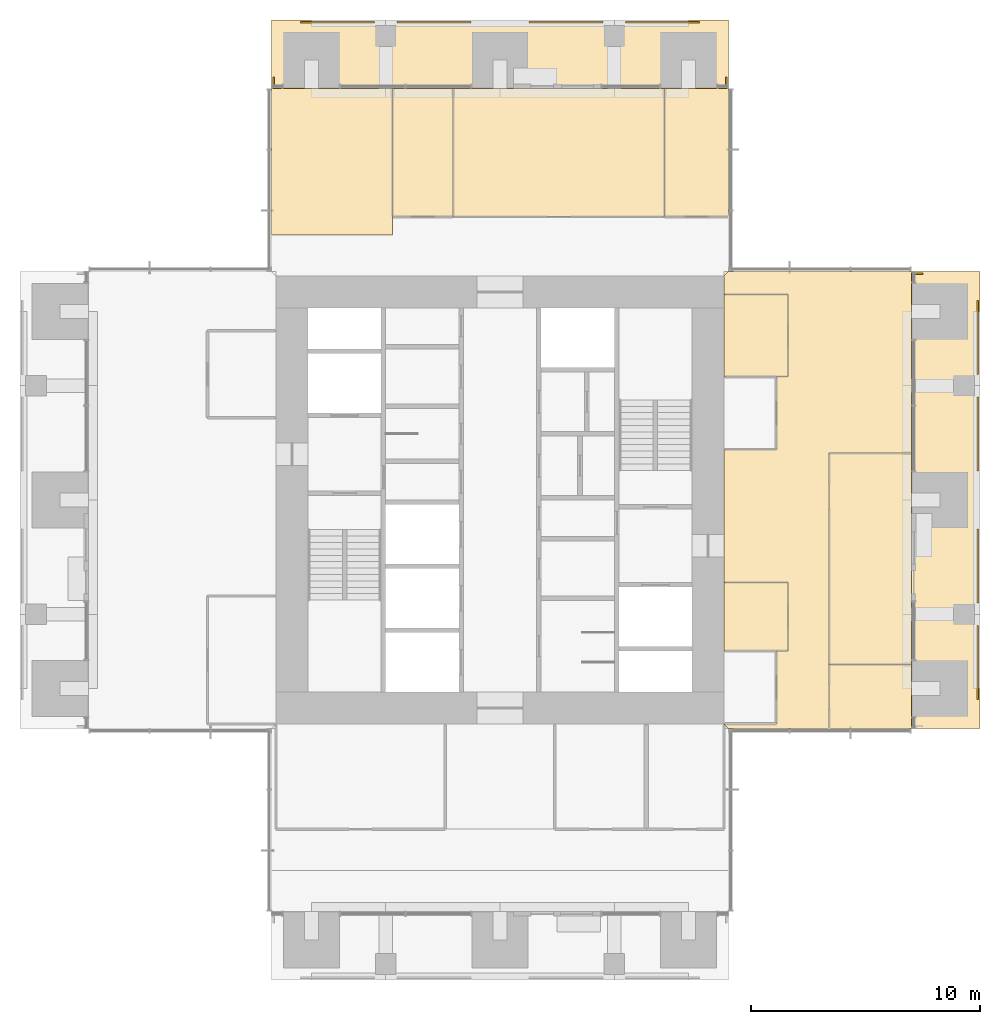
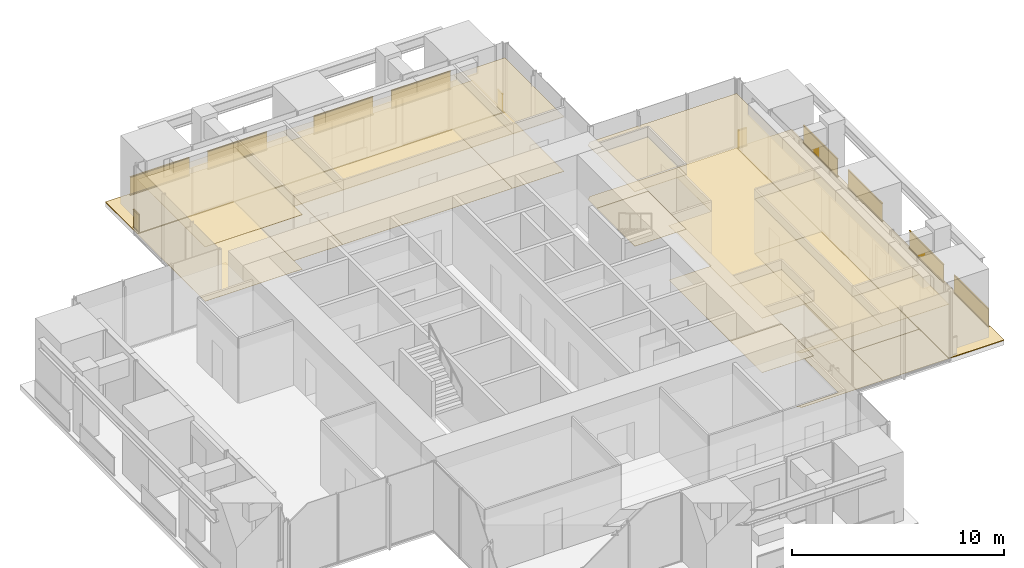
# One storey, part 16 of 17: 20 coverings, 11 railings.
"""IFC4 building model written with IfcOpenShell, lengths in metres."""

from ifc_helpers import new_model, si_unit, direction, frame, origin, origin_2d, place, context, subcontext, project, spatial, polyline, rectangle, outline, extrude, material, layer, layer_set, type_object, element, save


model = new_model("IFC4")

# Units and contexts
model_context = context("Model", 3, precision=1e-05, world=origin(), true_north=direction((0.0, 1.0)))
body_context = subcontext(model_context, "Body", "Model", "MODEL_VIEW")
ifc_project = project(units=[si_unit("LENGTHUNIT", "METRE"), si_unit("AREAUNIT", "SQUARE_METRE"), si_unit("VOLUMEUNIT", "CUBIC_METRE"), si_unit("PLANEANGLEUNIT", "RADIAN"), si_unit("MASSUNIT", "GRAM", prefix="KILO")], contexts=[model_context])

# Site, building, storey
site_placement = place(None, origin())
site = spatial("IfcSite", under=ifc_project, at=site_placement, CompositionType="ELEMENT")
building_placement = place(site_placement, origin())
building = spatial("IfcBuilding", under=site, at=building_placement, Name="Svetlomir Tower", CompositionType="ELEMENT")
storey_placement = place(building_placement, frame((0.0, 0.0, 226.5)))
storey = spatial("IfcBuildingStorey", under=building, at=storey_placement, Name="L54", CompositionType="ELEMENT", Elevation=226.5)

# Railings
ifc_material_1 = material(Name="Bronze anodised aluminium and laminated glass", Category="aluminium")
railing_type = type_object("IfcRailingType", Name="BALCONY GUARD GR1 1100", PredefinedType="GUARDRAIL", material=ifc_material_1)
for number, where, name in (
    (1, (41.89990234375, 12.27490234375, 0.0), "Loggia guard E L54 bay 1"),
    (2, (41.89990234375, 16.5, 0.0), "Loggia guard E L54 bay 2"),
    (3, (41.89990234375, 22.27490234375, 0.0), "Loggia guard E L54 bay 3"),
    (4, (41.89990234375, 26.5, 0.0), "Loggia guard E L54 bay 4"),
):
    element("IfcRailing", number, at=place(storey_placement, frame(where)), inside=storey, type_object=railing_type, Name=name, PredefinedType="GUARDRAIL", context=body_context, shape_type="SweptSolid", body=[
        extrude(rectangle(XDim=0.06005859375, YDim=0.10009765625, at=origin_2d()), frame((0.0, 0.0, 0.050048828125), z_axis=(0.0, 1.0, 0.0), x_axis=(-1.0, 0.0, 0.0)), (0.0, 0.0, 1.0), 3.22509765625),
        extrude(rectangle(XDim=0.021484375, YDim=0.960205078125, at=origin_2d()), frame((0.0, 0.0, 0.580078125), z_axis=(0.0, 1.0, 0.0), x_axis=(-1.0, 0.0, 0.0)), (0.0, 0.0, 1.0), 3.22509765625),
        extrude(rectangle(XDim=0.06005859375, YDim=0.0400390625, at=origin_2d()), frame((0.0, 0.0, 1.080078125), z_axis=(0.0, 1.0, 0.0), x_axis=(-1.0, 0.0, 0.0)), (0.0, 0.0, 1.0), 3.22509765625),
    ])
railing_placement = place(storey_placement, frame((39.5, 30.89990234375, 0.0)))
element("IfcRailing", 5, at=railing_placement, inside=storey, type_object=railing_type, Name="Loggia guard E L54 end 2", PredefinedType="GUARDRAIL", context=body_context, shape_type="SweptSolid", body=[
    extrude(rectangle(XDim=0.06005859375, YDim=0.10009765625, at=origin_2d()), frame((0.0, 0.0, 0.050048828125), z_axis=(-1.0, 0.0, 0.0), x_axis=(0.0, -1.0, 0.0)), (0.0, 0.0, 1.0), 0.5),
    extrude(rectangle(XDim=0.021484375, YDim=0.960205078125, at=origin_2d()), frame((0.0, 0.0, 0.580078125), z_axis=(-1.0, 0.0, 0.0), x_axis=(0.0, -1.0, 0.0)), (0.0, 0.0, 1.0), 0.5),
    extrude(rectangle(XDim=0.06005859375, YDim=0.0400390625, at=origin_2d()), frame((0.0, 0.0, 1.080078125), z_axis=(-1.0, 0.0, 0.0), x_axis=(0.0, -1.0, 0.0)), (0.0, 0.0, 1.0), 0.5),
])
for number, where, name in (
    (6, (12.27490234375, 41.89990234375, 0.0), "Loggia guard N L54 bay 1"),
    (7, (16.5, 41.89990234375, 0.0), "Loggia guard N L54 bay 2"),
    (8, (22.27490234375, 41.89990234375, 0.0), "Loggia guard N L54 bay 3"),
    (9, (26.5, 41.89990234375, 0.0), "Loggia guard N L54 bay 4"),
):
    element("IfcRailing", number, at=place(storey_placement, frame(where)), inside=storey, type_object=railing_type, Name=name, PredefinedType="GUARDRAIL", context=body_context, shape_type="SweptSolid", body=[
        extrude(rectangle(XDim=0.06005859375, YDim=0.10009765625, at=origin_2d()), frame((0.0, 0.0, 0.050048828125), z_axis=(1.0, 0.0, 0.0), x_axis=(0.0, 1.0, 0.0)), (0.0, 0.0, 1.0), 3.22509765625),
        extrude(rectangle(XDim=0.021484375, YDim=0.960205078125, at=origin_2d()), frame((0.0, 0.0, 0.580078125), z_axis=(1.0, 0.0, 0.0), x_axis=(0.0, 1.0, 0.0)), (0.0, 0.0, 1.0), 3.22509765625),
        extrude(rectangle(XDim=0.06005859375, YDim=0.0400390625, at=origin_2d()), frame((0.0, 0.0, 1.080078125), z_axis=(1.0, 0.0, 0.0), x_axis=(0.0, 1.0, 0.0)), (0.0, 0.0, 1.0), 3.22509765625),
    ])
for number, where, name in (
    (10, (11.10009765625, 39.5, 0.0), "Loggia guard N L54 end 1"),
    (11, (30.89990234375, 39.5, 0.0), "Loggia guard N L54 end 2"),
):
    element("IfcRailing", number, at=place(storey_placement, frame(where)), inside=storey, type_object=railing_type, Name=name, PredefinedType="GUARDRAIL", context=body_context, shape_type="SweptSolid", body=[
        extrude(rectangle(XDim=0.06005859375, YDim=0.10009765625, at=origin_2d()), frame((0.0, 0.0, 0.050048828125), z_axis=(0.0, -1.0, 0.0), x_axis=(1.0, 0.0, 0.0)), (0.0, 0.0, 1.0), 0.5),
        extrude(rectangle(XDim=0.021484375, YDim=0.960205078125, at=origin_2d()), frame((0.0, 0.0, 0.580078125), z_axis=(0.0, -1.0, 0.0), x_axis=(1.0, 0.0, 0.0)), (0.0, 0.0, 1.0), 0.5),
        extrude(rectangle(XDim=0.06005859375, YDim=0.0400390625, at=origin_2d()), frame((0.0, 0.0, 1.080078125), z_axis=(0.0, -1.0, 0.0), x_axis=(1.0, 0.0, 0.0)), (0.0, 0.0, 1.0), 0.5),
    ])

# Coverings
ifc_material_2 = material(Name="Granite paving slabs on pedestals", Category="masonry")
ifc_layer_1 = layer(ifc_material_2, 0.0400390625)
ifc_layer_set_1 = layer_set([ifc_layer_1], Name="Granite paving slabs on pedestals")
covering_type_1 = type_object("IfcCoveringType", Name="BALCONY PAVING 40", PredefinedType="USERDEFINED", material=ifc_layer_set_1)
covering_1_placement = place(storey_placement, origin())
element("IfcCovering", 12, at=covering_1_placement, inside=storey, type_object=covering_type_1, Name="Loggia paving E L54", ObjectType="BALCONY PAVING", PredefinedType="USERDEFINED", context=body_context, shape_type="SweptSolid", body=[
    extrude(outline(polyline([(39.0, 11.0), (42.0, 11.0), (42.0, 31.0), (39.0, 31.0), (39.0, 11.0)])), origin(), (0.0, 0.0, 1.0), 0.0400390625),
])
covering_2_placement = place(storey_placement, origin())
element("IfcCovering", 13, at=covering_2_placement, inside=storey, type_object=covering_type_1, Name="Loggia paving N L54", ObjectType="BALCONY PAVING", PredefinedType="USERDEFINED", context=body_context, shape_type="SweptSolid", body=[
    extrude(outline(polyline([(11.0, 39.0), (31.0, 39.0), (31.0, 42.0), (11.0, 42.0), (11.0, 39.0)])), origin(), (0.0, 0.0, 1.0), 0.0400390625),
])
ifc_material_3 = material(Name="Carpet tile", Category="textile")
ifc_layer_2 = layer(ifc_material_3, 0.010009765625)
ifc_layer_set_2 = layer_set([ifc_layer_2], Name="Carpet tile")
covering_type_2 = type_object("IfcCoveringType", Name="CARPET TILE FLOOR 10", PredefinedType="FLOORING", material=ifc_layer_set_2)
covering_3_placement = place(storey_placement, origin())
element("IfcCovering", 14, at=covering_3_placement, inside=storey, type_object=covering_type_2, Name="Floor finish L54-21", PredefinedType="FLOORING", context=body_context, shape_type="SweptSolid", body=[
    extrude(outline(polyline([(30.800048828125, 14.39990234375), (33.60009765625, 14.39990234375), (33.60009765625, 17.39990234375), (30.800048828125, 17.39990234375), (30.800048828125, 14.39990234375)])), origin(), (0.0, 0.0, 1.0), 0.010009765625),
])
covering_4_placement = place(storey_placement, origin())
element("IfcCovering", 15, at=covering_4_placement, inside=storey, type_object=covering_type_2, Name="Floor finish L54-23", PredefinedType="FLOORING", context=body_context, shape_type="SweptSolid", body=[
    extrude(outline(polyline([(30.800048828125, 26.39990234375), (33.60009765625, 26.39990234375), (33.60009765625, 30.0), (30.800048828125, 30.0), (30.800048828125, 26.39990234375)])), origin(), (0.0, 0.0, 1.0), 0.010009765625),
])
covering_5_placement = place(storey_placement, origin())
element("IfcCovering", 16, at=covering_5_placement, inside=storey, type_object=covering_type_2, Name="Floor finish L54-24", PredefinedType="FLOORING", context=body_context, shape_type="SweptSolid", body=[
    extrude(outline(polyline([(35.39990234375, 11.0), (39.0, 11.0), (39.0, 13.800048828125), (35.39990234375, 13.800048828125), (35.39990234375, 11.0)])), origin(), (0.0, 0.0, 1.0), 0.010009765625),
])
covering_6_placement = place(storey_placement, origin())
element("IfcCovering", 17, at=covering_6_placement, inside=storey, type_object=covering_type_2, Name="Floor finish L54-25", PredefinedType="FLOORING", context=body_context, shape_type="SweptSolid", body=[
    extrude(outline(polyline([(35.39990234375, 13.800048828125), (39.0, 13.800048828125), (39.0, 23.050048828125), (35.39990234375, 23.050048828125), (35.39990234375, 13.800048828125)])), origin(), (0.0, 0.0, 1.0), 0.010009765625),
])
covering_7_placement = place(storey_placement, origin())
element("IfcCovering", 18, at=covering_7_placement, inside=storey, type_object=covering_type_2, Name="Floor finish L54-26", PredefinedType="FLOORING", context=body_context, shape_type="SweptSolid", body=[
    extrude(outline(polyline([(16.300048828125, 33.39990234375), (18.949951171875, 33.39990234375), (18.949951171875, 39.0), (16.300048828125, 39.0), (16.300048828125, 33.39990234375)])), origin(), (0.0, 0.0, 1.0), 0.010009765625),
])
covering_8_placement = place(storey_placement, origin())
element("IfcCovering", 19, at=covering_8_placement, inside=storey, type_object=covering_type_2, Name="Floor finish L54-27", PredefinedType="FLOORING", context=body_context, shape_type="SweptSolid", body=[
    extrude(outline(polyline([(18.949951171875, 33.39990234375), (28.199951171875, 33.39990234375), (28.199951171875, 39.0), (18.949951171875, 39.0), (18.949951171875, 33.39990234375)])), origin(), (0.0, 0.0, 1.0), 0.010009765625),
])
covering_9_placement = place(storey_placement, origin())
element("IfcCovering", 20, at=covering_9_placement, inside=storey, type_object=covering_type_2, Name="Floor finish L54-28", PredefinedType="FLOORING", context=body_context, shape_type="SweptSolid", body=[
    extrude(outline(polyline([(28.199951171875, 33.39990234375), (31.0, 33.39990234375), (31.0, 39.0), (28.199951171875, 39.0), (28.199951171875, 33.39990234375)])), origin(), (0.0, 0.0, 1.0), 0.010009765625),
])
covering_10_placement = place(storey_placement, origin())
element("IfcCovering", 21, at=covering_10_placement, inside=storey, type_object=covering_type_2, Name="Floor finish L54-35", PredefinedType="FLOORING", context=body_context, shape_type="SweptSolid", body=[
    extrude(outline(polyline([(30.800048828125, 23.199951171875), (33.10009765625, 23.199951171875), (33.10009765625, 26.39990234375), (33.60009765625, 26.39990234375), (33.60009765625, 30.0), (30.800048828125, 30.0), (30.800048828125, 30.800048828125), (31.0, 31.0), (39.0, 31.0), (39.0, 23.050048828125), (35.39990234375, 23.050048828125), (35.39990234375, 11.0), (31.0, 11.0), (30.800048828125, 11.199951171875), (33.10009765625, 11.199951171875), (33.10009765625, 14.39990234375), (33.60009765625, 14.39990234375), (33.60009765625, 17.39990234375), (30.800048828125, 17.39990234375), (30.800048828125, 23.199951171875)])), origin(), (0.0, 0.0, 1.0), 0.010009765625),
])
covering_11_placement = place(storey_placement, origin())
element("IfcCovering", 22, at=covering_11_placement, inside=storey, type_object=covering_type_2, Name="Floor finish L54-36", PredefinedType="FLOORING", context=body_context, shape_type="SweptSolid", body=[
    extrude(outline(polyline([(16.300048828125, 39.0), (16.300048828125, 32.60009765625), (11.0, 32.60009765625), (11.0, 39.0), (16.300048828125, 39.0)])), origin(), (0.0, 0.0, 1.0), 0.010009765625),
])
ifc_material_4 = material(Name="Mineral fibre ceiling tile", Category="mineral")
ifc_layer_3 = layer(ifc_material_4, 0.02001953125)
ifc_layer_set_3 = layer_set([ifc_layer_3], Name="Mineral fibre ceiling tile")
covering_type_3 = type_object("IfcCoveringType", Name="SUSPENDED CEILING 20", PredefinedType="CEILING", material=ifc_layer_set_3)
covering_12_placement = place(storey_placement, frame((0.0, 0.0, 3.1298828125)))
element("IfcCovering", 23, at=covering_12_placement, inside=storey, type_object=covering_type_3, Name="Ceiling L54-21", PredefinedType="CEILING", context=body_context, shape_type="SweptSolid", body=[
    extrude(outline(polyline([(30.800048828125, 14.39990234375), (33.60009765625, 14.39990234375), (33.60009765625, 17.39990234375), (30.800048828125, 17.39990234375), (30.800048828125, 14.39990234375)])), origin(), (0.0, 0.0, 1.0), 0.02001953125),
])
covering_13_placement = place(storey_placement, frame((0.0, 0.0, 3.1298828125)))
element("IfcCovering", 24, at=covering_13_placement, inside=storey, type_object=covering_type_3, Name="Ceiling L54-23", PredefinedType="CEILING", context=body_context, shape_type="SweptSolid", body=[
    extrude(outline(polyline([(30.800048828125, 26.39990234375), (33.60009765625, 26.39990234375), (33.60009765625, 30.0), (30.800048828125, 30.0), (30.800048828125, 26.39990234375)])), origin(), (0.0, 0.0, 1.0), 0.02001953125),
])
covering_14_placement = place(storey_placement, frame((0.0, 0.0, 3.1298828125)))
element("IfcCovering", 25, at=covering_14_placement, inside=storey, type_object=covering_type_3, Name="Ceiling L54-24", PredefinedType="CEILING", context=body_context, shape_type="SweptSolid", body=[
    extrude(outline(polyline([(35.39990234375, 11.0), (39.0, 11.0), (39.0, 13.800048828125), (35.39990234375, 13.800048828125), (35.39990234375, 11.0)])), origin(), (0.0, 0.0, 1.0), 0.02001953125),
])
covering_15_placement = place(storey_placement, frame((0.0, 0.0, 3.1298828125)))
element("IfcCovering", 26, at=covering_15_placement, inside=storey, type_object=covering_type_3, Name="Ceiling L54-25", PredefinedType="CEILING", context=body_context, shape_type="SweptSolid", body=[
    extrude(outline(polyline([(35.39990234375, 13.800048828125), (39.0, 13.800048828125), (39.0, 23.050048828125), (35.39990234375, 23.050048828125), (35.39990234375, 13.800048828125)])), origin(), (0.0, 0.0, 1.0), 0.02001953125),
])
covering_16_placement = place(storey_placement, frame((0.0, 0.0, 3.1298828125)))
element("IfcCovering", 27, at=covering_16_placement, inside=storey, type_object=covering_type_3, Name="Ceiling L54-26", PredefinedType="CEILING", context=body_context, shape_type="SweptSolid", body=[
    extrude(outline(polyline([(16.300048828125, 33.39990234375), (18.949951171875, 33.39990234375), (18.949951171875, 39.0), (16.300048828125, 39.0), (16.300048828125, 33.39990234375)])), origin(), (0.0, 0.0, 1.0), 0.02001953125),
])
covering_17_placement = place(storey_placement, frame((0.0, 0.0, 3.1298828125)))
element("IfcCovering", 28, at=covering_17_placement, inside=storey, type_object=covering_type_3, Name="Ceiling L54-27", PredefinedType="CEILING", context=body_context, shape_type="SweptSolid", body=[
    extrude(outline(polyline([(18.949951171875, 33.39990234375), (28.199951171875, 33.39990234375), (28.199951171875, 39.0), (18.949951171875, 39.0), (18.949951171875, 33.39990234375)])), origin(), (0.0, 0.0, 1.0), 0.02001953125),
])
covering_18_placement = place(storey_placement, frame((0.0, 0.0, 3.1298828125)))
element("IfcCovering", 29, at=covering_18_placement, inside=storey, type_object=covering_type_3, Name="Ceiling L54-28", PredefinedType="CEILING", context=body_context, shape_type="SweptSolid", body=[
    extrude(outline(polyline([(28.199951171875, 33.39990234375), (31.0, 33.39990234375), (31.0, 39.0), (28.199951171875, 39.0), (28.199951171875, 33.39990234375)])), origin(), (0.0, 0.0, 1.0), 0.02001953125),
])
covering_19_placement = place(storey_placement, frame((0.0, 0.0, 3.1298828125)))
element("IfcCovering", 30, at=covering_19_placement, inside=storey, type_object=covering_type_3, Name="Ceiling L54-35", PredefinedType="CEILING", context=body_context, shape_type="SweptSolid", body=[
    extrude(outline(polyline([(30.800048828125, 23.199951171875), (33.10009765625, 23.199951171875), (33.10009765625, 26.39990234375), (33.60009765625, 26.39990234375), (33.60009765625, 30.0), (30.800048828125, 30.0), (30.800048828125, 30.800048828125), (31.0, 31.0), (39.0, 31.0), (39.0, 23.050048828125), (35.39990234375, 23.050048828125), (35.39990234375, 11.0), (31.0, 11.0), (30.800048828125, 11.199951171875), (33.10009765625, 11.199951171875), (33.10009765625, 14.39990234375), (33.60009765625, 14.39990234375), (33.60009765625, 17.39990234375), (30.800048828125, 17.39990234375), (30.800048828125, 23.199951171875)])), origin(), (0.0, 0.0, 1.0), 0.02001953125),
])
covering_20_placement = place(storey_placement, frame((0.0, 0.0, 3.1298828125)))
element("IfcCovering", 31, at=covering_20_placement, inside=storey, type_object=covering_type_3, Name="Ceiling L54-36", PredefinedType="CEILING", context=body_context, shape_type="SweptSolid", body=[
    extrude(outline(polyline([(16.300048828125, 39.0), (16.300048828125, 32.60009765625), (11.0, 32.60009765625), (11.0, 39.0), (16.300048828125, 39.0)])), origin(), (0.0, 0.0, 1.0), 0.02001953125),
])

save(model, "model.ifc")
